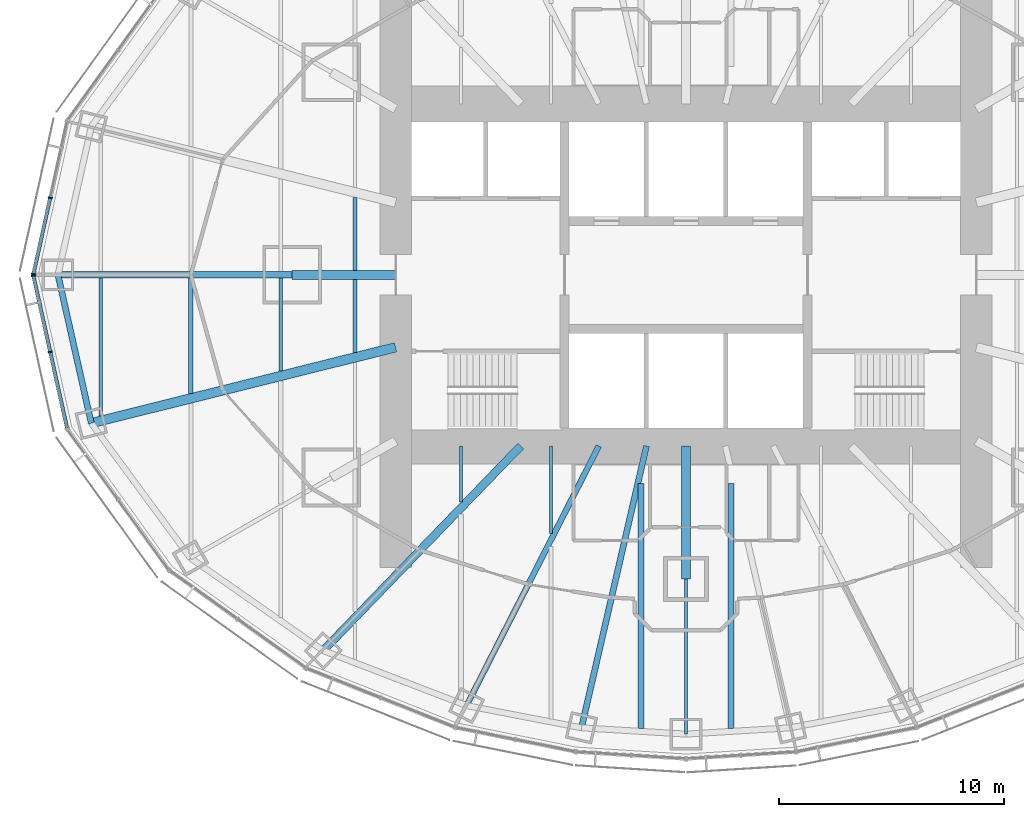
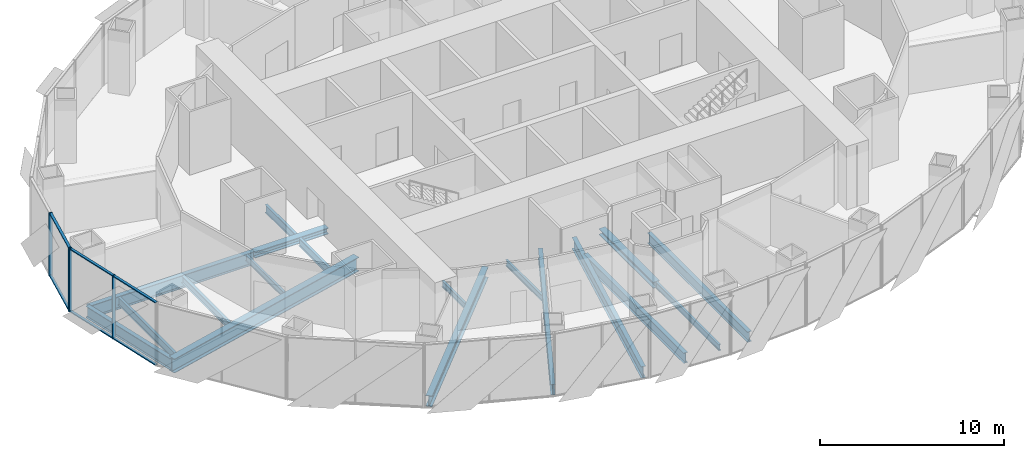
# One storey, part 3 of 18: 18 beams, 10 members, 2 elements without a shape of their own.
"""IFC4 building model written with IfcOpenShell, lengths in metres."""

from ifc_helpers import new_model, si_unit, direction, frame, origin, origin_2d, place, context, subcontext, project, spatial, rectangle, i_section, extrude, material, material_profile, profile_set, type_object, element, aggregate, save


model = new_model("IFC4")

# Units and contexts
model_context = context("Model", 3, precision=1e-05, world=origin(), true_north=direction((0.0, 1.0)))
body_context = subcontext(model_context, "Body", "Model", "MODEL_VIEW")
ifc_project = project(units=[si_unit("LENGTHUNIT", "METRE"), si_unit("AREAUNIT", "SQUARE_METRE"), si_unit("VOLUMEUNIT", "CUBIC_METRE"), si_unit("PLANEANGLEUNIT", "RADIAN"), si_unit("MASSUNIT", "GRAM", prefix="KILO")], contexts=[model_context])

# Site, building, storey
site_placement = place(None, origin())
site = spatial("IfcSite", under=ifc_project, at=site_placement, CompositionType="ELEMENT")
building_placement = place(site_placement, origin())
building = spatial("IfcBuilding", under=site, at=building_placement, Name="Lantaw Convention Tower", CompositionType="ELEMENT")
storey_placement = place(building_placement, frame((0.0, 0.0, 172.0)))
storey = spatial("IfcBuildingStorey", under=building, at=storey_placement, Name="L40", CompositionType="ELEMENT", Elevation=172.0)

# Beams
ifc_material_1 = material(Name="Steel ASTM A992", Category="steel")
ifc_material_profile_1 = material_profile(ifc_material_1, i_section(OverallWidth=0.2666015625, OverallDepth=0.76953125, WebThickness=0.015625, FlangeThickness=0.025390625, FilletRadius=0.0126953125, at=origin_2d()), Name="W30X132")
ifc_profile_set_1 = profile_set([ifc_material_profile_1], Name="Steel ASTM A992")
beam_type_1 = type_object("IfcBeamType", Name="Beam E W30X132", PredefinedType="SPANDREL", material=ifc_profile_set_1)
beam_1_placement = place(storey_placement, frame((-27.89990234375, 0.0, -0.534912109375), z_axis=(0.219211877447, -0.975677279015, 0.0), x_axis=(0.975677279015, 0.219211877447, 0.0)))
element("IfcBeam", 1, at=beam_1_placement, inside=storey, type_object=beam_type_1, Name="Edge beam 13", PredefinedType="SPANDREL", context=body_context, shape_type="SweptSolid", body=[
    extrude(i_section(OverallWidth=0.2666015625, OverallDepth=0.76953125, WebThickness=0.015625, FlangeThickness=0.025390625, FilletRadius=0.0126953125, at=origin_2d()), origin(), (0.0, 0.0, 1.0), 6.75146484375),
])
ifc_material_profile_2 = material_profile(ifc_material_1, i_section(OverallWidth=0.140380859375, OverallDepth=0.40380859375, WebThickness=0.007080078125, FlangeThickness=0.01123046875, FilletRadius=0.01025390625, at=origin_2d()), Name="W16X31")
ifc_profile_set_2 = profile_set([ifc_material_profile_2], Name="Steel ASTM A992")
beam_type_2 = type_object("IfcBeamType", Name="Beam G W16X31", PredefinedType="BEAM", material=ifc_profile_set_2)
beam_2_placement = place(storey_placement, frame((0.0, -13.5, -0.35205078125), z_axis=(0.0, -1.0, 0.0), x_axis=(1.0, 0.0, 0.0)))
element("IfcBeam", 2, at=beam_2_placement, inside=storey, type_object=beam_type_2, Name="Floor girder on ray 19", PredefinedType="BEAM", context=body_context, shape_type="SweptSolid", body=[
    extrude(i_section(OverallWidth=0.140380859375, OverallDepth=0.40380859375, WebThickness=0.007080078125, FlangeThickness=0.01123046875, FilletRadius=0.01025390625, at=origin_2d()), origin(), (0.0, 0.0, 1.0), 6.89990234375),
])
ifc_material_profile_3 = material_profile(ifc_material_1, i_section(OverallWidth=0.25390625, OverallDepth=0.700927734375, WebThickness=0.015380859375, FlangeThickness=0.02783203125, FilletRadius=0.01513671875, at=origin_2d()), Name="W27X129")
ifc_profile_set_3 = profile_set([ifc_material_profile_3], Name="Steel ASTM A992")
beam_type_3 = type_object("IfcBeamType", Name="Beam G W27X129", PredefinedType="BEAM", material=ifc_profile_set_3)
beam_3_placement = place(storey_placement, frame((-3.872314453125, -7.60009765625, -0.50048828125), z_axis=(-0.453991051051, -0.891006243281, 0.0), x_axis=(0.891006243281, -0.453991051051, 0.0)))
element("IfcBeam", 3, at=beam_3_placement, inside=storey, type_object=beam_type_3, Name="Floor girder on ray 17", PredefinedType="BEAM", context=body_context, shape_type="SweptSolid", body=[
    extrude(i_section(OverallWidth=0.25390625, OverallDepth=0.700927734375, WebThickness=0.015380859375, FlangeThickness=0.02783203125, FilletRadius=0.01513671875, at=origin_2d()), origin(), (0.0, 0.0, 1.0), 12.943359375),
])
ifc_material_profile_4 = material_profile(ifc_material_1, i_section(OverallWidth=0.360595703125, OverallDepth=0.72900390625, WebThickness=0.023193359375, FlangeThickness=0.041015625, FilletRadius=0.0126953125, at=origin_2d()), Name="W27X235")
ifc_profile_set_4 = profile_set([ifc_material_profile_4], Name="Steel ASTM A992")
beam_type_4 = type_object("IfcBeamType", Name="Beam G W27X235", PredefinedType="BEAM", material=ifc_profile_set_4)
beam_4_placement = place(storey_placement, frame((-7.33935546875, -7.60009765625, -0.514404296875), z_axis=(-0.694663467407, -0.719334878239, 0.0), x_axis=(0.719334878239, -0.694663467407, 0.0)))
element("IfcBeam", 4, at=beam_4_placement, inside=storey, type_object=beam_type_4, Name="Floor girder on ray 16", PredefinedType="BEAM", context=body_context, shape_type="SweptSolid", body=[
    extrude(i_section(OverallWidth=0.360595703125, OverallDepth=0.72900390625, WebThickness=0.023193359375, FlangeThickness=0.041015625, FilletRadius=0.0126953125, at=origin_2d()), origin(), (0.0, 0.0, 1.0), 12.63671875),
])
ifc_material_profile_5 = material_profile(ifc_material_1, i_section(OverallWidth=0.2666015625, OverallDepth=0.7568359375, WebThickness=0.013916015625, FlangeThickness=0.019287109375, FilletRadius=0.0126953125, at=origin_2d()), Name="W30X108")
ifc_profile_set_5 = profile_set([ifc_material_profile_5], Name="Steel ASTM A992")
beam_type_5 = type_object("IfcBeamType", Name="Beam G W30X108", PredefinedType="BEAM", material=ifc_profile_set_5)
beam_5_placement = place(storey_placement, frame((-1.754638671875, -7.60009765625, -0.528564453125), z_axis=(-0.224944153104, -0.974371658036, 0.0), x_axis=(0.974371658036, -0.224944153104, 0.0)))
element("IfcBeam", 5, at=beam_5_placement, inside=storey, type_object=beam_type_5, Name="Floor girder on ray 18", PredefinedType="BEAM", context=body_context, shape_type="SweptSolid", body=[
    extrude(i_section(OverallWidth=0.2666015625, OverallDepth=0.7568359375, WebThickness=0.013916015625, FlangeThickness=0.019287109375, FilletRadius=0.0126953125, at=origin_2d()), origin(), (0.0, 0.0, 1.0), 12.849365234375),
])
ifc_material_profile_6 = material_profile(ifc_material_1, i_section(OverallWidth=0.2919921875, OverallDepth=0.845703125, WebThickness=0.015380859375, FlangeThickness=0.0244140625, FilletRadius=0.01513671875, at=origin_2d()), Name="W33X141")
ifc_profile_set_6 = profile_set([ifc_material_profile_6], Name="Steel ASTM A992")
beam_type_6 = type_object("IfcBeamType", Name="Beam G W33X141", PredefinedType="BEAM", material=ifc_profile_set_6)
beam_6_placement = place(storey_placement, frame((-17.5, 0.0, -0.572998046875), z_axis=(-1.0, 0.0, 0.0), x_axis=(0.0, -1.0, 0.0)))
element("IfcBeam", 6, at=beam_6_placement, inside=storey, type_object=beam_type_6, Name="Floor girder on ray 13", PredefinedType="BEAM", context=body_context, shape_type="SweptSolid", body=[
    extrude(i_section(OverallWidth=0.2919921875, OverallDepth=0.845703125, WebThickness=0.015380859375, FlangeThickness=0.0244140625, FilletRadius=0.01513671875, at=origin_2d()), origin(), (0.0, 0.0, 1.0), 10.39990234375),
])
ifc_material_profile_7 = material_profile(ifc_material_1, i_section(OverallWidth=0.421630859375, OverallDepth=0.937255859375, WebThickness=0.0224609375, FlangeThickness=0.039794921875, FilletRadius=0.02001953125, at=origin_2d()), Name="W36X282")
ifc_profile_set_7 = profile_set([ifc_material_profile_7], Name="Steel ASTM A992")
beam_type_7 = type_object("IfcBeamType", Name="Beam G W36X282", PredefinedType="BEAM", material=ifc_profile_set_7)
beam_7_placement = place(storey_placement, frame((-12.89990234375, -3.21630859375, -0.61865234375), z_axis=(-0.970296903132, -0.24191717544, 0.0), x_axis=(0.24191717544, -0.970296903132, 0.0)))
element("IfcBeam", 7, at=beam_7_placement, inside=storey, type_object=beam_type_7, Name="Floor girder on ray 14", PredefinedType="BEAM", context=body_context, shape_type="SweptSolid", body=[
    extrude(i_section(OverallWidth=0.421630859375, OverallDepth=0.937255859375, WebThickness=0.0224609375, FlangeThickness=0.039794921875, FilletRadius=0.02001953125, at=origin_2d()), origin(), (0.0, 0.0, 1.0), 13.933837890625),
])
ifc_material_profile_8 = material_profile(ifc_material_1, i_section(OverallWidth=0.40380859375, OverallDepth=0.406494140625, WebThickness=0.027099609375, FlangeThickness=0.043701171875, FilletRadius=0.01513671875, at=origin_2d()), Name="W14X233")
ifc_profile_set_8 = profile_set([ifc_material_profile_8], Name="Steel ASTM A992")
beam_type_8 = type_object("IfcBeamType", Name="Beam GM W14X233", PredefinedType="BEAM", material=ifc_profile_set_8)
beam_8_placement = place(storey_placement, frame((-12.89990234375, 0.0, -0.353271484375), z_axis=(-1.0, 0.0, 0.0), x_axis=(0.0, -1.0, 0.0)))
element("IfcBeam", 8, at=beam_8_placement, inside=storey, type_object=beam_type_8, Name="Core link beam on ray 13", PredefinedType="BEAM", context=body_context, shape_type="SweptSolid", body=[
    extrude(i_section(OverallWidth=0.40380859375, OverallDepth=0.406494140625, WebThickness=0.027099609375, FlangeThickness=0.043701171875, FilletRadius=0.01513671875, at=origin_2d()), origin(), (0.0, 0.0, 1.0), 4.60009765625),
])
beam_9_placement = place(storey_placement, frame((0.0, -7.60009765625, -0.353271484375), z_axis=(0.0, -1.0, 0.0), x_axis=(1.0, 0.0, 0.0)))
element("IfcBeam", 9, at=beam_9_placement, inside=storey, type_object=beam_type_8, Name="Core link beam on ray 19", PredefinedType="BEAM", context=body_context, shape_type="SweptSolid", body=[
    extrude(i_section(OverallWidth=0.40380859375, OverallDepth=0.406494140625, WebThickness=0.027099609375, FlangeThickness=0.043701171875, FilletRadius=0.01513671875, at=origin_2d()), origin(), (0.0, 0.0, 1.0), 5.89990234375),
])
ifc_material_profile_9 = material_profile(ifc_material_1, i_section(OverallWidth=0.140380859375, OverallDepth=0.40380859375, WebThickness=0.007080078125, FlangeThickness=0.01123046875, FilletRadius=0.01025390625, at=origin_2d()), Name="W16X31")
ifc_profile_set_9 = profile_set([ifc_material_profile_9], Name="Steel ASTM A992")
beam_type_9 = type_object("IfcBeamType", Name="Beam J W16X31", PredefinedType="JOIST", material=ifc_profile_set_9)
beam_10_placement = place(storey_placement, frame((-18.0, -4.270751953125, -0.35205078125), z_axis=(0.0, 1.0, 0.0), x_axis=(-1.0, 0.0, 0.0)))
element("IfcBeam", 10, at=beam_10_placement, inside=storey, type_object=beam_type_9, Name="Floor joist", PredefinedType="JOIST", context=body_context, shape_type="SweptSolid", body=[
    extrude(i_section(OverallWidth=0.140380859375, OverallDepth=0.40380859375, WebThickness=0.007080078125, FlangeThickness=0.01123046875, FilletRadius=0.01025390625, at=origin_2d()), origin(), (0.0, 0.0, 1.0), 4.124755859375),
])
beam_11_placement = place(storey_placement, frame((-10.0, -10.095703125, -0.35205078125), z_axis=(0.0, 1.0, 0.0), x_axis=(-1.0, 0.0, 0.0)))
element("IfcBeam", 11, at=beam_11_placement, inside=storey, type_object=beam_type_9, Name="Floor joist", PredefinedType="JOIST", context=body_context, shape_type="SweptSolid", body=[
    extrude(i_section(OverallWidth=0.140380859375, OverallDepth=0.40380859375, WebThickness=0.007080078125, FlangeThickness=0.01123046875, FilletRadius=0.01025390625, at=origin_2d()), origin(), (0.0, 0.0, 1.0), 2.49560546875),
])
beam_12_placement = place(storey_placement, frame((-6.0, -11.495849609375, -0.35205078125), z_axis=(0.0, 1.0, 0.0), x_axis=(-1.0, 0.0, 0.0)))
element("IfcBeam", 12, at=beam_12_placement, inside=storey, type_object=beam_type_9, Name="Floor joist", PredefinedType="JOIST", context=body_context, shape_type="SweptSolid", body=[
    extrude(i_section(OverallWidth=0.140380859375, OverallDepth=0.40380859375, WebThickness=0.007080078125, FlangeThickness=0.01123046875, FilletRadius=0.01025390625, at=origin_2d()), origin(), (0.0, 0.0, 1.0), 3.895751953125),
])
ifc_material_profile_10 = material_profile(ifc_material_1, i_section(OverallWidth=0.1904296875, OverallDepth=0.457275390625, WebThickness=0.009033203125, FlangeThickness=0.014404296875, FilletRadius=0.01025390625, at=origin_2d()), Name="W18X50")
ifc_profile_set_10 = profile_set([ifc_material_profile_10], Name="Steel ASTM A992")
beam_type_10 = type_object("IfcBeamType", Name="Beam J W18X50", PredefinedType="JOIST", material=ifc_profile_set_10)
beam_13_placement = place(storey_placement, frame((-22.0, -5.267822265625, -0.378662109375), z_axis=(0.0, 1.0, 0.0), x_axis=(-1.0, 0.0, 0.0)))
element("IfcBeam", 13, at=beam_13_placement, inside=storey, type_object=beam_type_10, Name="Floor joist", PredefinedType="JOIST", context=body_context, shape_type="SweptSolid", body=[
    extrude(i_section(OverallWidth=0.1904296875, OverallDepth=0.457275390625, WebThickness=0.009033203125, FlangeThickness=0.014404296875, FilletRadius=0.01025390625, at=origin_2d()), origin(), (0.0, 0.0, 1.0), 5.121826171875),
])
ifc_material_profile_11 = material_profile(ifc_material_1, i_section(OverallWidth=0.1650390625, OverallDepth=0.52587890625, WebThickness=0.0087890625, FlangeThickness=0.011474609375, FilletRadius=0.0126953125, at=origin_2d()), Name="W21X44")
ifc_profile_set_11 = profile_set([ifc_material_profile_11], Name="Steel ASTM A992")
beam_type_11 = type_object("IfcBeamType", Name="Beam J W21X44", PredefinedType="JOIST", material=ifc_profile_set_11)
beam_14_placement = place(storey_placement, frame((-26.0, -6.26513671875, -0.412841796875), z_axis=(0.0, 1.0, 0.0), x_axis=(-1.0, 0.0, 0.0)))
element("IfcBeam", 14, at=beam_14_placement, inside=storey, type_object=beam_type_11, Name="Floor joist", PredefinedType="JOIST", context=body_context, shape_type="SweptSolid", body=[
    extrude(i_section(OverallWidth=0.1650390625, OverallDepth=0.52587890625, WebThickness=0.0087890625, FlangeThickness=0.011474609375, FilletRadius=0.0126953125, at=origin_2d()), origin(), (0.0, 0.0, 1.0), 6.119140625),
])
ifc_material_profile_12 = material_profile(ifc_material_1, i_section(OverallWidth=0.165771484375, OverallDepth=0.5283203125, WebThickness=0.009765625, FlangeThickness=0.013671875, FilletRadius=0.012939453125, at=origin_2d()), Name="W21X50")
ifc_profile_set_12 = profile_set([ifc_material_profile_12], Name="Steel ASTM A992")
beam_type_12 = type_object("IfcBeamType", Name="Beam J W21X50", PredefinedType="JOIST", material=ifc_profile_set_12)
for number, where, z_axis, x_axis, name in (
    (15, (-14.699951171875, -3.44775390625, -0.4140625), (0.0, 1.0, 0.0), (-1.0, 0.0, 0.0), "Floor joist"),
    (16, (-14.699951171875, 0.201904296875, -0.4140625), (0.0, 1.0, 0.0), (-1.0, 0.0, 0.0), "Floor joist"),
):
    element("IfcBeam", number, at=place(storey_placement, frame(where, z_axis=z_axis, x_axis=x_axis)), inside=storey, type_object=beam_type_12, Name=name, PredefinedType="JOIST", context=body_context, shape_type="SweptSolid", body=[
        extrude(i_section(OverallWidth=0.165771484375, OverallDepth=0.5283203125, WebThickness=0.009765625, FlangeThickness=0.013671875, FilletRadius=0.012939453125, at=origin_2d()), origin(), (0.0, 0.0, 1.0), 3.245849609375),
    ])
ifc_material_profile_13 = material_profile(ifc_material_1, i_section(OverallWidth=0.25390625, OverallDepth=0.683349609375, WebThickness=0.012451171875, FlangeThickness=0.01904296875, FilletRadius=0.01513671875, at=origin_2d()), Name="W27X94")
ifc_profile_set_13 = profile_set([ifc_material_profile_13], Name="Steel ASTM A992")
beam_type_13 = type_object("IfcBeamType", Name="Beam J W27X94", PredefinedType="JOIST", material=ifc_profile_set_13)
for number, where, z_axis, x_axis, name in (
    (17, (-2.0, -20.145751953125, -0.49169921875), (0.0, 1.0, 0.0), (-1.0, 0.0, 0.0), "Floor joist"),
    (18, (2.0, -20.145751953125, -0.49169921875), (0.0, 1.0, 0.0), (-1.0, 0.0, 0.0), "Floor joist"),
):
    element("IfcBeam", number, at=place(storey_placement, frame(where, z_axis=z_axis, x_axis=x_axis)), inside=storey, type_object=beam_type_13, Name=name, PredefinedType="JOIST", context=body_context, shape_type="SweptSolid", body=[
        extrude(i_section(OverallWidth=0.25390625, OverallDepth=0.683349609375, WebThickness=0.012451171875, FlangeThickness=0.01904296875, FilletRadius=0.01513671875, at=origin_2d()), origin(), (0.0, 0.0, 1.0), 10.889892578125),
    ])

# Curtain wall, members
ifc_material_2 = material(Name="Aluminium framed curtain wall", Category="aluminium")
curtain_wall_type = type_object("IfcCurtainWallType", Name="Office curtain wall low rise, pale aluminium", PredefinedType="USERDEFINED", material=ifc_material_2)
curtain_wall_1_placement = place(storey_placement, origin())
curtain_wall_1 = element("IfcCurtainWall", 19, at=curtain_wall_1_placement, inside=storey, type_object=curtain_wall_type, Name="Office curtain wall low rise, pale aluminium L40", ObjectType="UNITISED CURTAIN WALL", PredefinedType="USERDEFINED")
ifc_material_3 = material(Name="Aluminium 6063-T6", Category="aluminium")
ifc_material_profile_14 = material_profile(ifc_material_3, rectangle(XDim=0.199951171875, YDim=0.06494140625, at=origin_2d()), Name="CW-O1 mullion 65x200")
ifc_profile_set_14 = profile_set([ifc_material_profile_14], Name="Aluminium 6063-T6")
member_type_1 = type_object("IfcMemberType", Name="CW-O1 mullion 65x200", PredefinedType="MULLION", material=ifc_profile_set_14)
member_1_placement = place(storey_placement, frame((-28.24365234375, 3.4267578125, -0.14990234375), z_axis=(0.0, 0.0, 1.0), x_axis=(0.9764936509, -0.215546166174, 0.0)))
member_1 = element("IfcMember", 20, at=member_1_placement, type_object=member_type_1, Name="CW-O1 mullion 2", PredefinedType="MULLION", context=body_context, shape_type="SweptSolid", body=[
    extrude(rectangle(XDim=0.199951171875, YDim=0.06494140625, at=origin_2d()), origin(), (0.0, 0.0, 1.0), 4.199951171875),
])
member_2_placement = place(storey_placement, frame((-28.992919921875, 0.03173828125, -0.14990234375), z_axis=(0.0, 0.0, 1.0), x_axis=(0.9764936509, -0.215546166174, 0.0)))
member_2 = element("IfcMember", 21, at=member_2_placement, type_object=member_type_1, Name="CW-O1 mullion 3", PredefinedType="MULLION", context=body_context, shape_type="SweptSolid", body=[
    extrude(rectangle(XDim=0.199951171875, YDim=0.06494140625, at=origin_2d()), origin(), (0.0, 0.0, 1.0), 4.199951171875),
])

curtain_wall_2_placement = place(storey_placement, origin())
curtain_wall_2 = element("IfcCurtainWall", 22, at=curtain_wall_2_placement, inside=storey, type_object=curtain_wall_type, Name="Office curtain wall low rise, pale aluminium L40", ObjectType="UNITISED CURTAIN WALL", PredefinedType="USERDEFINED")
member_3_placement = place(storey_placement, frame((-28.992919921875, -0.03173828125, -0.14990234375), z_axis=(0.0, 0.0, 1.0), x_axis=(0.9764936509, 0.215546166174, 0.0)))
member_3 = element("IfcMember", 23, at=member_3_placement, type_object=member_type_1, Name="CW-O1 mullion 1", PredefinedType="MULLION", context=body_context, shape_type="SweptSolid", body=[
    extrude(rectangle(XDim=0.199951171875, YDim=0.06494140625, at=origin_2d()), origin(), (0.0, 0.0, 1.0), 4.199951171875),
])
member_4_placement = place(storey_placement, frame((-28.24365234375, -3.4267578125, -0.14990234375), z_axis=(0.0, 0.0, 1.0), x_axis=(0.9764936509, 0.215546166174, 0.0)))
member_4 = element("IfcMember", 24, at=member_4_placement, type_object=member_type_1, Name="CW-O1 mullion 2", PredefinedType="MULLION", context=body_context, shape_type="SweptSolid", body=[
    extrude(rectangle(XDim=0.199951171875, YDim=0.06494140625, at=origin_2d()), origin(), (0.0, 0.0, 1.0), 4.199951171875),
])

# Member
ifc_material_profile_15 = material_profile(ifc_material_3, rectangle(XDim=0.159912109375, YDim=0.06494140625, at=origin_2d()), Name="CW-O1 transom 65x160")
ifc_profile_set_15 = profile_set([ifc_material_profile_15], Name="Aluminium 6063-T6")
member_type_2 = type_object("IfcMemberType", Name="CW-O1 transom 65x160", PredefinedType="USERDEFINED", material=ifc_profile_set_15)
member_5_placement = place(storey_placement, frame((-28.250732421875, 3.39501953125, -0.117431640625), z_axis=(-0.215536096386, -0.976495873598, 0.0), x_axis=(0.976495873598, -0.215536096386, 0.0)))
member_5 = element("IfcMember", 25, at=member_5_placement, type_object=member_type_2, Name="CW-O1 transom 2.1", ObjectType="TRANSOM", PredefinedType="USERDEFINED", context=body_context, shape_type="SweptSolid", body=[
    extrude(rectangle(XDim=0.159912109375, YDim=0.06494140625, at=origin_2d()), origin(), (0.0, 0.0, 1.0), 3.41162109375),
])

member_6_placement = place(storey_placement, frame((-28.250732421875, 3.39501953125, 4.017578125), z_axis=(-0.215536096386, -0.976495873598, 0.0), x_axis=(0.976495873598, -0.215536096386, 0.0)))
member_6 = element("IfcMember", 26, at=member_6_placement, type_object=member_type_2, Name="CW-O1 transom 2.2", ObjectType="TRANSOM", PredefinedType="USERDEFINED", context=body_context, shape_type="SweptSolid", body=[
    extrude(rectangle(XDim=0.159912109375, YDim=0.06494140625, at=origin_2d()), origin(), (0.0, 0.0, 1.0), 3.41162109375),
])

aggregate(curtain_wall_1, [member_1, member_2, member_5, member_6])

member_7_placement = place(storey_placement, frame((-28.986083984375, -0.0634765625, -0.117431640625), z_axis=(0.215536096386, -0.976495873598, 0.0), x_axis=(0.976495873598, 0.215536096386, 0.0)))
member_7 = element("IfcMember", 27, at=member_7_placement, type_object=member_type_2, Name="CW-O1 transom 1.1", ObjectType="TRANSOM", PredefinedType="USERDEFINED", context=body_context, shape_type="SweptSolid", body=[
    extrude(rectangle(XDim=0.159912109375, YDim=0.06494140625, at=origin_2d()), origin(), (0.0, 0.0, 1.0), 3.41162109375),
])

member_8_placement = place(storey_placement, frame((-28.986083984375, -0.0634765625, 4.017578125), z_axis=(0.215536096386, -0.976495873598, 0.0), x_axis=(0.976495873598, 0.215536096386, 0.0)))
member_8 = element("IfcMember", 28, at=member_8_placement, type_object=member_type_2, Name="CW-O1 transom 1.2", ObjectType="TRANSOM", PredefinedType="USERDEFINED", context=body_context, shape_type="SweptSolid", body=[
    extrude(rectangle(XDim=0.159912109375, YDim=0.06494140625, at=origin_2d()), origin(), (0.0, 0.0, 1.0), 3.41162109375),
])

member_9_placement = place(storey_placement, frame((-28.236572265625, -3.45849609375, -0.117431640625), z_axis=(0.21555115847, -0.976492548913, 0.0), x_axis=(0.976492548913, 0.21555115847, 0.0)))
member_9 = element("IfcMember", 29, at=member_9_placement, type_object=member_type_2, Name="CW-O1 transom 2.1", ObjectType="TRANSOM", PredefinedType="USERDEFINED", context=body_context, shape_type="SweptSolid", body=[
    extrude(rectangle(XDim=0.159912109375, YDim=0.06494140625, at=origin_2d()), origin(), (0.0, 0.0, 1.0), 3.411376953125),
])

member_10_placement = place(storey_placement, frame((-28.236572265625, -3.45849609375, 4.017578125), z_axis=(0.21555115847, -0.976492548913, 0.0), x_axis=(0.976492548913, 0.21555115847, 0.0)))
member_10 = element("IfcMember", 30, at=member_10_placement, type_object=member_type_2, Name="CW-O1 transom 2.2", ObjectType="TRANSOM", PredefinedType="USERDEFINED", context=body_context, shape_type="SweptSolid", body=[
    extrude(rectangle(XDim=0.159912109375, YDim=0.06494140625, at=origin_2d()), origin(), (0.0, 0.0, 1.0), 3.411376953125),
])

aggregate(curtain_wall_2, [member_3, member_4, member_7, member_8, member_9, member_10])

save(model, "model.ifc")
